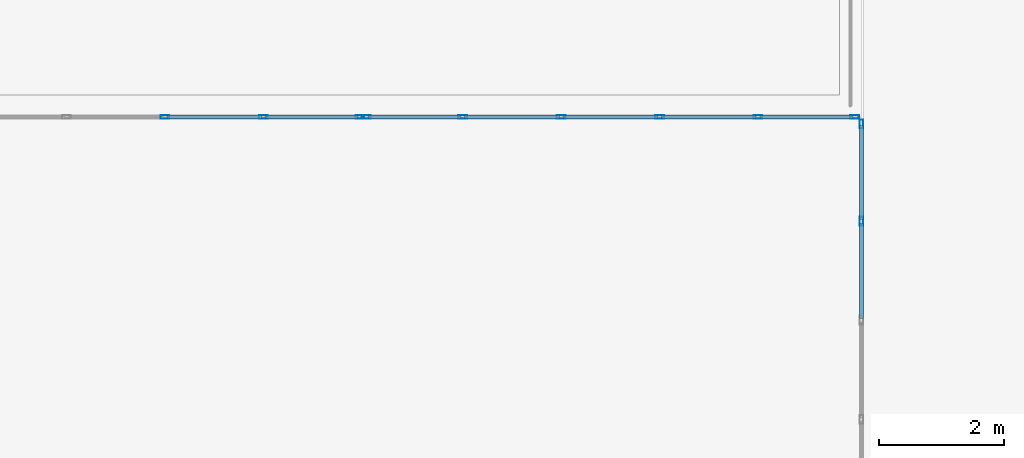
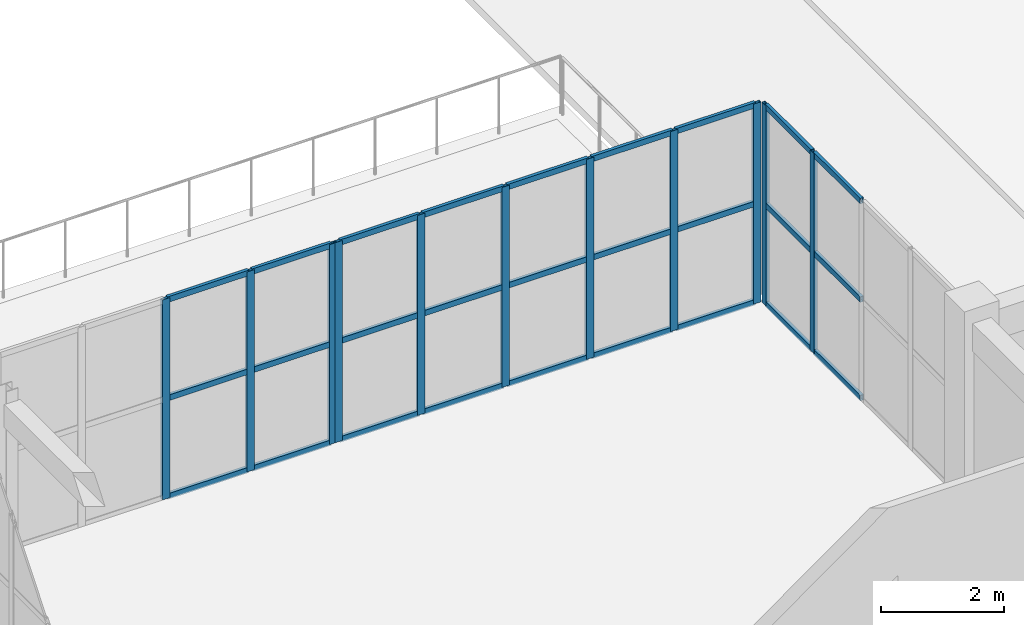
# One storey, part 39 of 90: 38 members, 3 elements without a shape of their own.
"""IFC4 building model written with IfcOpenShell, lengths in metres."""

import ifcopenshell
import ifcopenshell.guid

model = None  # the IFC model being written
_history = None  # IfcOwnerHistory: only IFC2X3 demands one
_inside = {}  # id of a spatial element -> (the spatial element, [elements in it])
_under = {}  # id of a project, library or spatial element -> (it, [spatial elements below it])
_declared = {}  # id of a project -> (the project, [libraries it declares])
_typed = {}  # id of a type object -> (the type object, [elements of that type])
_made_of = {}  # id of a material, layer set ... -> (it, [elements and type objects made of it])


def new_model(schema):
    """Start an empty IFC model of exactly this schema.

    Asked for "IFC4X3", IfcOpenShell would pick the latest addendum, in which some entities
    have other attributes; the version numbers below select the first issue.
    IFC2X3 requires an IfcOwnerHistory on every rooted entity: one is made here for all.
    """
    global model, _history
    if schema == "IFC4X3":
        model = ifcopenshell.file(schema_version=(4, 3, 0, 0))
    else:
        model = ifcopenshell.file(schema=schema)
    _inside.clear()
    _under.clear()
    _declared.clear()
    _typed.clear()
    _made_of.clear()
    _history = None
    if model.schema == "IFC2X3":
        org = make("IfcOrganization", Name="unknown")
        user = make(
            "IfcPersonAndOrganization",
            ThePerson=make("IfcPerson", FamilyName="unknown"),
            TheOrganization=org,
        )
        app = make(
            "IfcApplication",
            ApplicationDeveloper=org,
            Version="unknown",
            ApplicationFullName="unknown",
            ApplicationIdentifier="unknown",
        )
        _history = make(
            "IfcOwnerHistory",
            OwningUser=user,
            OwningApplication=app,
            ChangeAction="ADDED",
            CreationDate=0,
        )
    return model


def make(cls, **values):
    """One entity of the class cls with the attributes given. An attribute that is None is left unset."""
    return model.create_entity(
        cls, **{name: value for name, value in values.items() if value is not None}
    )


def rooted(cls, **values):
    """An entity with a GlobalId (a new one), such as an element, a storey or a relation."""
    return make(cls, GlobalId=ifcopenshell.guid.new(), OwnerHistory=_history, **values)


def si_unit(unit_type, name, prefix=None):
    """IfcSIUnit, for example si_unit("LENGTHUNIT", "METRE", prefix="MILLI")."""
    return make("IfcSIUnit", UnitType=unit_type, Prefix=prefix, Name=name)


def assignment(units):
    """IfcUnitAssignment: the units of a project."""
    return None if units is None else make("IfcUnitAssignment", Units=units)


def point(xyz):
    """IfcCartesianPoint."""
    return None if xyz is None else make("IfcCartesianPoint", Coordinates=xyz)


def direction(xyz):
    """IfcDirection."""
    return None if xyz is None else make("IfcDirection", DirectionRatios=xyz)


def frame(location, z_axis=None, x_axis=None):
    """IfcAxis2Placement3D, a coordinate frame: its origin and axes. An axis left out is left unset."""
    return make(
        "IfcAxis2Placement3D",
        Location=point(location),
        Axis=direction(z_axis),
        RefDirection=direction(x_axis),
    )


def frame_2d(location, x_axis=None):
    """IfcAxis2Placement2D, a coordinate frame in the plane: its origin and x axis."""
    return make(
        "IfcAxis2Placement2D", Location=point(location), RefDirection=direction(x_axis)
    )


def origin():
    """The frame at (0, 0, 0) with its axes left unset."""
    return frame((0.0, 0.0, 0.0))


def origin_2d():
    """The frame at (0, 0) in the plane with its x axis left unset."""
    return frame_2d((0.0, 0.0))


def place(relative_to, where):
    """IfcLocalPlacement: puts the frame where relative to a parent placement (None: the world)."""
    return make(
        "IfcLocalPlacement", PlacementRelTo=relative_to, RelativePlacement=where
    )


def context(
    kind, dimensions, precision=None, world=None, true_north=None, identifier=None
):
    """IfcGeometricRepresentationContext, for example the 3D "Model" context."""
    return make(
        "IfcGeometricRepresentationContext",
        ContextIdentifier=identifier,
        ContextType=kind,
        CoordinateSpaceDimension=dimensions,
        Precision=precision,
        WorldCoordinateSystem=world,
        TrueNorth=true_north,
    )


def subcontext(parent, identifier, kind, view, scale=None):
    """IfcGeometricRepresentationSubContext, for example "Body" below "Model"."""
    return make(
        "IfcGeometricRepresentationSubContext",
        ContextIdentifier=identifier,
        ContextType=kind,
        ParentContext=parent,
        TargetScale=scale,
        TargetView=view,
    )


def project(units=None, contexts=None):
    """IfcProject with its units and contexts."""
    return rooted(
        "IfcProject",
        Name="project",
        RepresentationContexts=contexts,
        UnitsInContext=assignment(units),
    )


def spatial(cls, under=None, at=None, **own):
    """A site, building, storey or space (cls), placed at a placement, below another one or the project."""
    s = rooted(cls, ObjectPlacement=at, **own)
    if under is not None:
        _under.setdefault(under.id(), (under, []))[1].append(s)
    return s


def profile(cls, at=None, kind="AREA", **sizes):
    """A parametric profile (cls). Its sizes go by their IFC names, for example OverallWidth=200.0."""
    return make(cls, ProfileType=kind, Position=at, **sizes)


def hollow_rectangle(**sizes):
    """IfcRectangleHollowProfileDef."""
    return profile("IfcRectangleHollowProfileDef", **sizes)


def extrude(swept, where, along, depth):
    """IfcExtrudedAreaSolid: the profile swept, set in the frame where, extruded along a direction by depth."""
    return make(
        "IfcExtrudedAreaSolid",
        SweptArea=swept,
        Position=where,
        ExtrudedDirection=direction(along),
        Depth=depth,
    )


def shape(context_of_items, identifier, shape_type, items):
    """IfcShapeRepresentation: the items that make up one representation, for example the "Body"."""
    return make(
        "IfcShapeRepresentation",
        ContextOfItems=context_of_items,
        RepresentationIdentifier=identifier,
        RepresentationType=shape_type,
        Items=items,
    )


def material(Name=None, Category=None):
    """IfcMaterial."""
    return make("IfcMaterial", Name=Name, Category=Category)


def layer(
    of_material, thickness, ventilated=None, Name=None, Category=None, Priority=None
):
    """IfcMaterialLayer: one layer of a wall or slab, of a material (None: an air gap)."""
    return make(
        "IfcMaterialLayer",
        Material=of_material,
        LayerThickness=thickness,
        IsVentilated=ventilated,
        Name=Name,
        Category=Category,
        Priority=Priority,
    )


def layer_set(layers, Name=None):
    """IfcMaterialLayerSet."""
    return make("IfcMaterialLayerSet", MaterialLayers=layers, LayerSetName=Name)


def material_profile(
    of_material, cross_section, Name=None, Category=None, Priority=None
):
    """IfcMaterialProfile: a cross section and its material."""
    return make(
        "IfcMaterialProfile",
        Name=Name,
        Material=of_material,
        Profile=cross_section,
        Priority=Priority,
        Category=Category,
    )


def profile_set(profiles, Name=None, composite=None):
    """IfcMaterialProfileSet."""
    return make(
        "IfcMaterialProfileSet",
        Name=Name,
        MaterialProfiles=profiles,
        CompositeProfile=composite,
    )


def made_of(thing, what):
    """Note that an element or type object is made of a material, layer set ...; save() writes the relation."""
    if what is not None:
        _made_of.setdefault(what.id(), (what, []))[1].append(thing)
    return thing


def type_object(cls, material=None, **own):
    """A type object (cls), such as IfcWallType, which elements share."""
    return made_of(rooted(cls, **own), material)


def element(
    cls,
    number,
    at=None,
    inside=None,
    cuts=None,
    type_object=None,
    material=None,
    context=None,
    identifier="Body",
    shape_type=None,
    held_by="IfcProductDefinitionShape",
    body=None,
    shapes=None,
    **own,
):
    """One element of the class cls, such as IfcWall. Its Tag is "e" and its number.

    at: its placement. inside: the storey or other place that contains it. cuts: it is an
    opening in that element (IfcRelVoidsElement). A single representation is given by context,
    identifier, shape_type and body (its items); several are given by shapes. held_by: the class
    of the entity that holds the representations. save() writes the other relations.
    """
    e = rooted(cls, Tag="e%d" % number, ObjectPlacement=at, **own)
    if body is not None:
        shapes = [shape(context, identifier, shape_type, body)]
    if shapes is not None:
        e.Representation = make(held_by, Representations=shapes)
    if inside is not None:
        _inside.setdefault(inside.id(), (inside, []))[1].append(e)
    if cuts is not None:
        rooted(
            "IfcRelVoidsElement", RelatingBuildingElement=cuts, RelatedOpeningElement=e
        )
    if type_object is not None:
        _typed.setdefault(type_object.id(), (type_object, []))[1].append(e)
    return made_of(e, material)


def aggregate(whole, parts):
    """IfcRelAggregates: a whole, such as a stair, and the parts it consists of."""
    return rooted("IfcRelAggregates", RelatingObject=whole, RelatedObjects=parts)


def save(model, path):
    """Write the relations noted so far, then the file.

    IfcRelAggregates (storeys below a building ...), IfcRelContainedInSpatialStructure (elements
    in a storey), IfcRelDefinesByType, IfcRelAssociatesMaterial and IfcRelDeclares: one each for
    every whole, place, type object, material and project.
    """
    for whole, parts in _under.values():
        aggregate(whole, parts)
    for where, things in _inside.values():
        rooted(
            "IfcRelContainedInSpatialStructure",
            RelatedElements=things,
            RelatingStructure=where,
        )
    for kind, things in _typed.values():
        rooted("IfcRelDefinesByType", RelatedObjects=things, RelatingType=kind)
    for what, things in _made_of.values():
        rooted("IfcRelAssociatesMaterial", RelatedObjects=things, RelatingMaterial=what)
    for by, libraries in _declared.values():
        rooted("IfcRelDeclares", RelatingContext=by, RelatedDefinitions=libraries)
    model.write(path)


model = new_model("IFC4")

# Units and contexts
model_context = context("Model", 3, precision=1e-05, world=origin(), true_north=direction((0.0, 1.0)))
body_context = subcontext(model_context, "Body", "Model", "MODEL_VIEW")
ifc_project = project(units=[si_unit("LENGTHUNIT", "METRE"), si_unit("AREAUNIT", "SQUARE_METRE"), si_unit("VOLUMEUNIT", "CUBIC_METRE"), si_unit("PLANEANGLEUNIT", "RADIAN"), si_unit("MASSUNIT", "GRAM", prefix="KILO")], contexts=[model_context])

# Site, building, storey
site_placement = place(None, origin())
site = spatial("IfcSite", under=ifc_project, at=site_placement, CompositionType="ELEMENT")
building_placement = place(site_placement, origin())
building = spatial("IfcBuilding", under=site, at=building_placement, Name="Trelvath General Hospital", CompositionType="ELEMENT")
storey_placement = place(building_placement, frame((0.0, 0.0, 20.39990234375)))
storey = spatial("IfcBuildingStorey", under=building, at=storey_placement, Name="L05", CompositionType="ELEMENT", Elevation=20.39990234375)

# Curtain wall, members
ifc_material_1 = material(Name="Anodised aluminium and low-E glass", Category="aluminium")
ifc_layer_1 = layer(ifc_material_1, 0.14990234375)
ifc_layer_set_1 = layer_set([ifc_layer_1], Name="Anodised aluminium and low-E glass")
curtain_wall_type_1 = type_object("IfcCurtainWallType", Name="CW CrystalCube 790 396 15", PredefinedType="USERDEFINED", material=ifc_layer_set_1)
curtain_wall_1_placement = place(storey_placement, origin())
curtain_wall_1 = element("IfcCurtainWall", 1, at=curtain_wall_1_placement, inside=storey, type_object=curtain_wall_type_1, Name="Crystal Cube Curtain Wall CUBE-W-T2 N1 L05", ObjectType="Unitised Glazed Curtain Wall", PredefinedType="USERDEFINED")
ifc_material_2 = material(Name="Anodised aluminium", Category="aluminium")
ifc_material_profile_1 = material_profile(ifc_material_2, hollow_rectangle(XDim=0.06005859375, YDim=0.139892578125, WallThickness=0.00390625, at=origin_2d()), Name="RHS60x140x4")
ifc_profile_set_1 = profile_set([ifc_material_profile_1], Name="Anodised aluminium")
member_type_1 = type_object("IfcMemberType", Name="CurtainMullion 60x140", PredefinedType="MULLION", material=ifc_profile_set_1)
member_1_placement = place(storey_placement, frame((64.419921875, 74.0, 0.0), z_axis=(0.0, 0.0, 1.0), x_axis=(0.0, 1.0, 0.0)))
member_1 = element("IfcMember", 2, at=member_1_placement, type_object=member_type_1, Name="CW-308 mullion 4", PredefinedType="MULLION", context=body_context, shape_type="SweptSolid", body=[
    extrude(hollow_rectangle(XDim=0.06005859375, YDim=0.139892578125, WallThickness=0.00390625, at=origin_2d()), origin(), (0.0, 0.0, 1.0), 3.960205078125),
])
member_2_placement = place(storey_placement, frame((66.0, 74.0, 0.0), z_axis=(0.0, 0.0, 1.0), x_axis=(0.0, 1.0, 0.0)))
member_2 = element("IfcMember", 3, at=member_2_placement, type_object=member_type_1, Name="CW-308 mullion 5", PredefinedType="MULLION", context=body_context, shape_type="SweptSolid", body=[
    extrude(hollow_rectangle(XDim=0.06005859375, YDim=0.139892578125, WallThickness=0.00390625, at=origin_2d()), origin(), (0.0, 0.0, 1.0), 3.960205078125),
])
member_3_placement = place(storey_placement, frame((67.550048828125, 74.0, 0.0), z_axis=(0.0, 0.0, 1.0), x_axis=(0.0, 1.0, 0.0)))
member_3 = element("IfcMember", 4, at=member_3_placement, type_object=member_type_1, Name="CW-308 mullion 6", PredefinedType="MULLION", context=body_context, shape_type="SweptSolid", body=[
    extrude(hollow_rectangle(XDim=0.06005859375, YDim=0.139892578125, WallThickness=0.00390625, at=origin_2d()), origin(), (0.0, 0.0, 1.0), 3.960205078125),
])

curtain_wall_2_placement = place(storey_placement, origin())
curtain_wall_2 = element("IfcCurtainWall", 5, at=curtain_wall_2_placement, inside=storey, type_object=curtain_wall_type_1, Name="Crystal Cube Curtain Wall CUBE-W-T2 N2 L05", ObjectType="Unitised Glazed Curtain Wall", PredefinedType="USERDEFINED")
member_4_placement = place(storey_placement, frame((67.64990234375, 74.0, 0.0), z_axis=(0.0, 0.0, 1.0), x_axis=(0.0, 1.0, 0.0)))
member_4 = element("IfcMember", 6, at=member_4_placement, type_object=member_type_1, Name="CW-309 mullion 1", PredefinedType="MULLION", context=body_context, shape_type="SweptSolid", body=[
    extrude(hollow_rectangle(XDim=0.06005859375, YDim=0.139892578125, WallThickness=0.00390625, at=origin_2d()), origin(), (0.0, 0.0, 1.0), 3.960205078125),
])
member_5_placement = place(storey_placement, frame((69.199951171875, 74.0, 0.0), z_axis=(0.0, 0.0, 1.0), x_axis=(0.0, 1.0, 0.0)))
member_5 = element("IfcMember", 7, at=member_5_placement, type_object=member_type_1, Name="CW-309 mullion 2", PredefinedType="MULLION", context=body_context, shape_type="SweptSolid", body=[
    extrude(hollow_rectangle(XDim=0.06005859375, YDim=0.139892578125, WallThickness=0.00390625, at=origin_2d()), origin(), (0.0, 0.0, 1.0), 3.960205078125),
])
member_6_placement = place(storey_placement, frame((70.780029296875, 74.0, 0.0), z_axis=(0.0, 0.0, 1.0), x_axis=(0.0, 1.0, 0.0)))
member_6 = element("IfcMember", 8, at=member_6_placement, type_object=member_type_1, Name="CW-309 mullion 3", PredefinedType="MULLION", context=body_context, shape_type="SweptSolid", body=[
    extrude(hollow_rectangle(XDim=0.06005859375, YDim=0.139892578125, WallThickness=0.00390625, at=origin_2d()), origin(), (0.0, 0.0, 1.0), 3.960205078125),
])
member_7_placement = place(storey_placement, frame((72.360107421875, 74.0, 0.0), z_axis=(0.0, 0.0, 1.0), x_axis=(0.0, 1.0, 0.0)))
member_7 = element("IfcMember", 9, at=member_7_placement, type_object=member_type_1, Name="CW-309 mullion 4", PredefinedType="MULLION", context=body_context, shape_type="SweptSolid", body=[
    extrude(hollow_rectangle(XDim=0.06005859375, YDim=0.139892578125, WallThickness=0.00390625, at=origin_2d()), origin(), (0.0, 0.0, 1.0), 3.960205078125),
])
member_8_placement = place(storey_placement, frame((73.93994140625, 74.0, 0.0), z_axis=(0.0, 0.0, 1.0), x_axis=(0.0, 1.0, 0.0)))
member_8 = element("IfcMember", 10, at=member_8_placement, type_object=member_type_1, Name="CW-309 mullion 5", PredefinedType="MULLION", context=body_context, shape_type="SweptSolid", body=[
    extrude(hollow_rectangle(XDim=0.06005859375, YDim=0.139892578125, WallThickness=0.00390625, at=origin_2d()), origin(), (0.0, 0.0, 1.0), 3.960205078125),
])
member_9_placement = place(storey_placement, frame((75.489990234375, 74.0, 0.0), z_axis=(0.0, 0.0, 1.0), x_axis=(0.0, 1.0, 0.0)))
member_9 = element("IfcMember", 11, at=member_9_placement, type_object=member_type_1, Name="CW-309 mullion 6", PredefinedType="MULLION", context=body_context, shape_type="SweptSolid", body=[
    extrude(hollow_rectangle(XDim=0.06005859375, YDim=0.139892578125, WallThickness=0.00390625, at=origin_2d()), origin(), (0.0, 0.0, 1.0), 3.960205078125),
])

ifc_material_3 = material(Name="Anodised aluminium and low-E glass", Category="aluminium")
ifc_layer_2 = layer(ifc_material_3, 0.14990234375)
ifc_layer_set_2 = layer_set([ifc_layer_2], Name="Anodised aluminium and low-E glass")
curtain_wall_type_2 = type_object("IfcCurtainWallType", Name="CW CrystalCube 636 396 15", PredefinedType="USERDEFINED", material=ifc_layer_set_2)
curtain_wall_3_placement = place(storey_placement, origin())
curtain_wall_3 = element("IfcCurtainWall", 12, at=curtain_wall_3_placement, inside=storey, type_object=curtain_wall_type_2, Name="Crystal Cube Curtain Wall CUBE-W-T2 E5 L05", ObjectType="Unitised Glazed Curtain Wall", PredefinedType="USERDEFINED")
member_10_placement = place(storey_placement, frame((75.60009765625, 73.889892578125, 0.0), z_axis=(0.0, 0.0, 1.0), x_axis=(1.0, 0.0, 0.0)))
member_10 = element("IfcMember", 13, at=member_10_placement, type_object=member_type_1, Name="CW-314 mullion 1", PredefinedType="MULLION", context=body_context, shape_type="SweptSolid", body=[
    extrude(hollow_rectangle(XDim=0.06005859375, YDim=0.139892578125, WallThickness=0.00390625, at=origin_2d()), origin(), (0.0, 0.0, 1.0), 3.960205078125),
])
member_11_placement = place(storey_placement, frame((75.60009765625, 72.328857421875, 0.0), z_axis=(0.0, 0.0, 1.0), x_axis=(1.0, 0.0, 0.0)))
member_11 = element("IfcMember", 14, at=member_11_placement, type_object=member_type_1, Name="CW-314 mullion 2", PredefinedType="MULLION", context=body_context, shape_type="SweptSolid", body=[
    extrude(hollow_rectangle(XDim=0.06005859375, YDim=0.139892578125, WallThickness=0.00390625, at=origin_2d()), origin(), (0.0, 0.0, 1.0), 3.960205078125),
])

# Member
ifc_material_4 = material(Name="Anodised aluminium", Category="aluminium")
ifc_material_profile_2 = material_profile(ifc_material_4, hollow_rectangle(XDim=0.06005859375, YDim=0.110107421875, WallThickness=0.00390625, at=origin_2d()), Name="RHS60x110x4")
ifc_profile_set_2 = profile_set([ifc_material_profile_2], Name="Anodised aluminium")
member_type_2 = type_object("IfcMemberType", Name="CurtainTransom 60x110", PredefinedType="USERDEFINED", material=ifc_profile_set_2)
member_12_placement = place(storey_placement, frame((64.449951171875, 74.0, 0.030029296875), z_axis=(1.0, 0.0, 0.0), x_axis=(0.0, 1.0, 0.0)))
member_12 = element("IfcMember", 15, at=member_12_placement, type_object=member_type_2, Name="CW-308 transom 4.1", ObjectType="TRANSOM", PredefinedType="USERDEFINED", context=body_context, shape_type="SweptSolid", body=[
    extrude(hollow_rectangle(XDim=0.06005859375, YDim=0.110107421875, WallThickness=0.00390625, at=origin_2d()), origin(), (0.0, 0.0, 1.0), 1.52001953125),
])

member_13_placement = place(storey_placement, frame((64.449951171875, 74.0, 1.97998046875), z_axis=(1.0, 0.0, 0.0), x_axis=(0.0, 1.0, 0.0)))
member_13 = element("IfcMember", 16, at=member_13_placement, type_object=member_type_2, Name="CW-308 transom 4.2", ObjectType="TRANSOM", PredefinedType="USERDEFINED", context=body_context, shape_type="SweptSolid", body=[
    extrude(hollow_rectangle(XDim=0.06005859375, YDim=0.110107421875, WallThickness=0.00390625, at=origin_2d()), origin(), (0.0, 0.0, 1.0), 1.52001953125),
])

member_14_placement = place(storey_placement, frame((64.449951171875, 74.0, 3.93017578125), z_axis=(1.0, 0.0, 0.0), x_axis=(0.0, 1.0, 0.0)))
member_14 = element("IfcMember", 17, at=member_14_placement, type_object=member_type_2, Name="CW-308 transom 4.3", ObjectType="TRANSOM", PredefinedType="USERDEFINED", context=body_context, shape_type="SweptSolid", body=[
    extrude(hollow_rectangle(XDim=0.06005859375, YDim=0.110107421875, WallThickness=0.00390625, at=origin_2d()), origin(), (0.0, 0.0, 1.0), 1.52001953125),
])

member_15_placement = place(storey_placement, frame((66.030029296875, 74.0, 0.030029296875), z_axis=(1.0, 0.0, 0.0), x_axis=(0.0, 1.0, 0.0)))
member_15 = element("IfcMember", 18, at=member_15_placement, type_object=member_type_2, Name="CW-308 transom 5.1", ObjectType="TRANSOM", PredefinedType="USERDEFINED", context=body_context, shape_type="SweptSolid", body=[
    extrude(hollow_rectangle(XDim=0.06005859375, YDim=0.110107421875, WallThickness=0.00390625, at=origin_2d()), origin(), (0.0, 0.0, 1.0), 1.489990234375),
])

member_16_placement = place(storey_placement, frame((66.030029296875, 74.0, 1.97998046875), z_axis=(1.0, 0.0, 0.0), x_axis=(0.0, 1.0, 0.0)))
member_16 = element("IfcMember", 19, at=member_16_placement, type_object=member_type_2, Name="CW-308 transom 5.2", ObjectType="TRANSOM", PredefinedType="USERDEFINED", context=body_context, shape_type="SweptSolid", body=[
    extrude(hollow_rectangle(XDim=0.06005859375, YDim=0.110107421875, WallThickness=0.00390625, at=origin_2d()), origin(), (0.0, 0.0, 1.0), 1.489990234375),
])

member_17_placement = place(storey_placement, frame((66.030029296875, 74.0, 3.93017578125), z_axis=(1.0, 0.0, 0.0), x_axis=(0.0, 1.0, 0.0)))
member_17 = element("IfcMember", 20, at=member_17_placement, type_object=member_type_2, Name="CW-308 transom 5.3", ObjectType="TRANSOM", PredefinedType="USERDEFINED", context=body_context, shape_type="SweptSolid", body=[
    extrude(hollow_rectangle(XDim=0.06005859375, YDim=0.110107421875, WallThickness=0.00390625, at=origin_2d()), origin(), (0.0, 0.0, 1.0), 1.489990234375),
])

aggregate(curtain_wall_1, [member_1, member_2, member_3, member_12, member_13, member_14, member_15, member_16, member_17])

member_18_placement = place(storey_placement, frame((67.679931640625, 74.0, 0.030029296875), z_axis=(1.0, 0.0, 0.0), x_axis=(0.0, 1.0, 0.0)))
member_18 = element("IfcMember", 21, at=member_18_placement, type_object=member_type_2, Name="CW-309 transom 1.1", ObjectType="TRANSOM", PredefinedType="USERDEFINED", context=body_context, shape_type="SweptSolid", body=[
    extrude(hollow_rectangle(XDim=0.06005859375, YDim=0.110107421875, WallThickness=0.00390625, at=origin_2d()), origin(), (0.0, 0.0, 1.0), 1.489990234375),
])

member_19_placement = place(storey_placement, frame((67.679931640625, 74.0, 1.97998046875), z_axis=(1.0, 0.0, 0.0), x_axis=(0.0, 1.0, 0.0)))
member_19 = element("IfcMember", 22, at=member_19_placement, type_object=member_type_2, Name="CW-309 transom 1.2", ObjectType="TRANSOM", PredefinedType="USERDEFINED", context=body_context, shape_type="SweptSolid", body=[
    extrude(hollow_rectangle(XDim=0.06005859375, YDim=0.110107421875, WallThickness=0.00390625, at=origin_2d()), origin(), (0.0, 0.0, 1.0), 1.489990234375),
])

member_20_placement = place(storey_placement, frame((67.679931640625, 74.0, 3.93017578125), z_axis=(1.0, 0.0, 0.0), x_axis=(0.0, 1.0, 0.0)))
member_20 = element("IfcMember", 23, at=member_20_placement, type_object=member_type_2, Name="CW-309 transom 1.3", ObjectType="TRANSOM", PredefinedType="USERDEFINED", context=body_context, shape_type="SweptSolid", body=[
    extrude(hollow_rectangle(XDim=0.06005859375, YDim=0.110107421875, WallThickness=0.00390625, at=origin_2d()), origin(), (0.0, 0.0, 1.0), 1.489990234375),
])

member_21_placement = place(storey_placement, frame((69.22998046875, 74.0, 0.030029296875), z_axis=(1.0, 0.0, 0.0), x_axis=(0.0, 1.0, 0.0)))
member_21 = element("IfcMember", 24, at=member_21_placement, type_object=member_type_2, Name="CW-309 transom 2.1", ObjectType="TRANSOM", PredefinedType="USERDEFINED", context=body_context, shape_type="SweptSolid", body=[
    extrude(hollow_rectangle(XDim=0.06005859375, YDim=0.110107421875, WallThickness=0.00390625, at=origin_2d()), origin(), (0.0, 0.0, 1.0), 1.52001953125),
])

member_22_placement = place(storey_placement, frame((69.22998046875, 74.0, 1.97998046875), z_axis=(1.0, 0.0, 0.0), x_axis=(0.0, 1.0, 0.0)))
member_22 = element("IfcMember", 25, at=member_22_placement, type_object=member_type_2, Name="CW-309 transom 2.2", ObjectType="TRANSOM", PredefinedType="USERDEFINED", context=body_context, shape_type="SweptSolid", body=[
    extrude(hollow_rectangle(XDim=0.06005859375, YDim=0.110107421875, WallThickness=0.00390625, at=origin_2d()), origin(), (0.0, 0.0, 1.0), 1.52001953125),
])

member_23_placement = place(storey_placement, frame((69.22998046875, 74.0, 3.93017578125), z_axis=(1.0, 0.0, 0.0), x_axis=(0.0, 1.0, 0.0)))
member_23 = element("IfcMember", 26, at=member_23_placement, type_object=member_type_2, Name="CW-309 transom 2.3", ObjectType="TRANSOM", PredefinedType="USERDEFINED", context=body_context, shape_type="SweptSolid", body=[
    extrude(hollow_rectangle(XDim=0.06005859375, YDim=0.110107421875, WallThickness=0.00390625, at=origin_2d()), origin(), (0.0, 0.0, 1.0), 1.52001953125),
])

member_24_placement = place(storey_placement, frame((70.81005859375, 74.0, 0.030029296875), z_axis=(1.0, 0.0, 0.0), x_axis=(0.0, 1.0, 0.0)))
member_24 = element("IfcMember", 27, at=member_24_placement, type_object=member_type_2, Name="CW-309 transom 3.1", ObjectType="TRANSOM", PredefinedType="USERDEFINED", context=body_context, shape_type="SweptSolid", body=[
    extrude(hollow_rectangle(XDim=0.06005859375, YDim=0.110107421875, WallThickness=0.00390625, at=origin_2d()), origin(), (0.0, 0.0, 1.0), 1.52001953125),
])

member_25_placement = place(storey_placement, frame((70.81005859375, 74.0, 1.97998046875), z_axis=(1.0, 0.0, 0.0), x_axis=(0.0, 1.0, 0.0)))
member_25 = element("IfcMember", 28, at=member_25_placement, type_object=member_type_2, Name="CW-309 transom 3.2", ObjectType="TRANSOM", PredefinedType="USERDEFINED", context=body_context, shape_type="SweptSolid", body=[
    extrude(hollow_rectangle(XDim=0.06005859375, YDim=0.110107421875, WallThickness=0.00390625, at=origin_2d()), origin(), (0.0, 0.0, 1.0), 1.52001953125),
])

member_26_placement = place(storey_placement, frame((70.81005859375, 74.0, 3.93017578125), z_axis=(1.0, 0.0, 0.0), x_axis=(0.0, 1.0, 0.0)))
member_26 = element("IfcMember", 29, at=member_26_placement, type_object=member_type_2, Name="CW-309 transom 3.3", ObjectType="TRANSOM", PredefinedType="USERDEFINED", context=body_context, shape_type="SweptSolid", body=[
    extrude(hollow_rectangle(XDim=0.06005859375, YDim=0.110107421875, WallThickness=0.00390625, at=origin_2d()), origin(), (0.0, 0.0, 1.0), 1.52001953125),
])

member_27_placement = place(storey_placement, frame((72.389892578125, 74.0, 0.030029296875), z_axis=(1.0, 0.0, 0.0), x_axis=(0.0, 1.0, 0.0)))
member_27 = element("IfcMember", 30, at=member_27_placement, type_object=member_type_2, Name="CW-309 transom 4.1", ObjectType="TRANSOM", PredefinedType="USERDEFINED", context=body_context, shape_type="SweptSolid", body=[
    extrude(hollow_rectangle(XDim=0.06005859375, YDim=0.110107421875, WallThickness=0.00390625, at=origin_2d()), origin(), (0.0, 0.0, 1.0), 1.52001953125),
])

member_28_placement = place(storey_placement, frame((72.389892578125, 74.0, 1.97998046875), z_axis=(1.0, 0.0, 0.0), x_axis=(0.0, 1.0, 0.0)))
member_28 = element("IfcMember", 31, at=member_28_placement, type_object=member_type_2, Name="CW-309 transom 4.2", ObjectType="TRANSOM", PredefinedType="USERDEFINED", context=body_context, shape_type="SweptSolid", body=[
    extrude(hollow_rectangle(XDim=0.06005859375, YDim=0.110107421875, WallThickness=0.00390625, at=origin_2d()), origin(), (0.0, 0.0, 1.0), 1.52001953125),
])

member_29_placement = place(storey_placement, frame((72.389892578125, 74.0, 3.93017578125), z_axis=(1.0, 0.0, 0.0), x_axis=(0.0, 1.0, 0.0)))
member_29 = element("IfcMember", 32, at=member_29_placement, type_object=member_type_2, Name="CW-309 transom 4.3", ObjectType="TRANSOM", PredefinedType="USERDEFINED", context=body_context, shape_type="SweptSolid", body=[
    extrude(hollow_rectangle(XDim=0.06005859375, YDim=0.110107421875, WallThickness=0.00390625, at=origin_2d()), origin(), (0.0, 0.0, 1.0), 1.52001953125),
])

member_30_placement = place(storey_placement, frame((73.969970703125, 74.0, 0.030029296875), z_axis=(1.0, 0.0, 0.0), x_axis=(0.0, 1.0, 0.0)))
member_30 = element("IfcMember", 33, at=member_30_placement, type_object=member_type_2, Name="CW-309 transom 5.1", ObjectType="TRANSOM", PredefinedType="USERDEFINED", context=body_context, shape_type="SweptSolid", body=[
    extrude(hollow_rectangle(XDim=0.06005859375, YDim=0.110107421875, WallThickness=0.00390625, at=origin_2d()), origin(), (0.0, 0.0, 1.0), 1.489990234375),
])

member_31_placement = place(storey_placement, frame((73.969970703125, 74.0, 1.97998046875), z_axis=(1.0, 0.0, 0.0), x_axis=(0.0, 1.0, 0.0)))
member_31 = element("IfcMember", 34, at=member_31_placement, type_object=member_type_2, Name="CW-309 transom 5.2", ObjectType="TRANSOM", PredefinedType="USERDEFINED", context=body_context, shape_type="SweptSolid", body=[
    extrude(hollow_rectangle(XDim=0.06005859375, YDim=0.110107421875, WallThickness=0.00390625, at=origin_2d()), origin(), (0.0, 0.0, 1.0), 1.489990234375),
])

member_32_placement = place(storey_placement, frame((73.969970703125, 74.0, 3.93017578125), z_axis=(1.0, 0.0, 0.0), x_axis=(0.0, 1.0, 0.0)))
member_32 = element("IfcMember", 35, at=member_32_placement, type_object=member_type_2, Name="CW-309 transom 5.3", ObjectType="TRANSOM", PredefinedType="USERDEFINED", context=body_context, shape_type="SweptSolid", body=[
    extrude(hollow_rectangle(XDim=0.06005859375, YDim=0.110107421875, WallThickness=0.00390625, at=origin_2d()), origin(), (0.0, 0.0, 1.0), 1.489990234375),
])

aggregate(curtain_wall_2, [member_4, member_5, member_6, member_7, member_8, member_9, member_18, member_19, member_20, member_21, member_22, member_23, member_24, member_25, member_26, member_27, member_28, member_29, member_30, member_31, member_32])

member_33_placement = place(storey_placement, frame((75.60009765625, 73.860107421875, 0.030029296875), z_axis=(0.0, -1.0, 0.0), x_axis=(1.0, 0.0, 0.0)))
member_33 = element("IfcMember", 36, at=member_33_placement, type_object=member_type_2, Name="CW-314 transom 1.1", ObjectType="TRANSOM", PredefinedType="USERDEFINED", context=body_context, shape_type="SweptSolid", body=[
    extrude(hollow_rectangle(XDim=0.06005859375, YDim=0.110107421875, WallThickness=0.00390625, at=origin_2d()), origin(), (0.0, 0.0, 1.0), 1.50146484375),
])

member_34_placement = place(storey_placement, frame((75.60009765625, 73.860107421875, 1.97998046875), z_axis=(0.0, -1.0, 0.0), x_axis=(1.0, 0.0, 0.0)))
member_34 = element("IfcMember", 37, at=member_34_placement, type_object=member_type_2, Name="CW-314 transom 1.2", ObjectType="TRANSOM", PredefinedType="USERDEFINED", context=body_context, shape_type="SweptSolid", body=[
    extrude(hollow_rectangle(XDim=0.06005859375, YDim=0.110107421875, WallThickness=0.00390625, at=origin_2d()), origin(), (0.0, 0.0, 1.0), 1.50146484375),
])

member_35_placement = place(storey_placement, frame((75.60009765625, 73.860107421875, 3.93017578125), z_axis=(0.0, -1.0, 0.0), x_axis=(1.0, 0.0, 0.0)))
member_35 = element("IfcMember", 38, at=member_35_placement, type_object=member_type_2, Name="CW-314 transom 1.3", ObjectType="TRANSOM", PredefinedType="USERDEFINED", context=body_context, shape_type="SweptSolid", body=[
    extrude(hollow_rectangle(XDim=0.06005859375, YDim=0.110107421875, WallThickness=0.00390625, at=origin_2d()), origin(), (0.0, 0.0, 1.0), 1.50146484375),
])

member_36_placement = place(storey_placement, frame((75.60009765625, 72.298828125, 0.030029296875), z_axis=(0.0, -1.0, 0.0), x_axis=(1.0, 0.0, 0.0)))
member_36 = element("IfcMember", 39, at=member_36_placement, type_object=member_type_2, Name="CW-314 transom 2.1", ObjectType="TRANSOM", PredefinedType="USERDEFINED", context=body_context, shape_type="SweptSolid", body=[
    extrude(hollow_rectangle(XDim=0.06005859375, YDim=0.110107421875, WallThickness=0.00390625, at=origin_2d()), origin(), (0.0, 0.0, 1.0), 1.53125),
])

member_37_placement = place(storey_placement, frame((75.60009765625, 72.298828125, 1.97998046875), z_axis=(0.0, -1.0, 0.0), x_axis=(1.0, 0.0, 0.0)))
member_37 = element("IfcMember", 40, at=member_37_placement, type_object=member_type_2, Name="CW-314 transom 2.2", ObjectType="TRANSOM", PredefinedType="USERDEFINED", context=body_context, shape_type="SweptSolid", body=[
    extrude(hollow_rectangle(XDim=0.06005859375, YDim=0.110107421875, WallThickness=0.00390625, at=origin_2d()), origin(), (0.0, 0.0, 1.0), 1.53125),
])

member_38_placement = place(storey_placement, frame((75.60009765625, 72.298828125, 3.93017578125), z_axis=(0.0, -1.0, 0.0), x_axis=(1.0, 0.0, 0.0)))
member_38 = element("IfcMember", 41, at=member_38_placement, type_object=member_type_2, Name="CW-314 transom 2.3", ObjectType="TRANSOM", PredefinedType="USERDEFINED", context=body_context, shape_type="SweptSolid", body=[
    extrude(hollow_rectangle(XDim=0.06005859375, YDim=0.110107421875, WallThickness=0.00390625, at=origin_2d()), origin(), (0.0, 0.0, 1.0), 1.53125),
])

aggregate(curtain_wall_3, [member_10, member_11, member_33, member_34, member_35, member_36, member_37, member_38])

save(model, "model.ifc")
